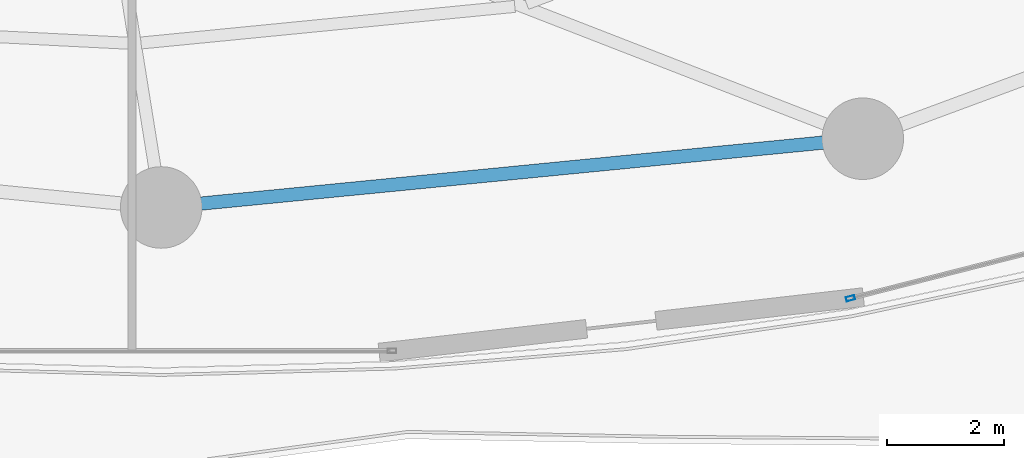
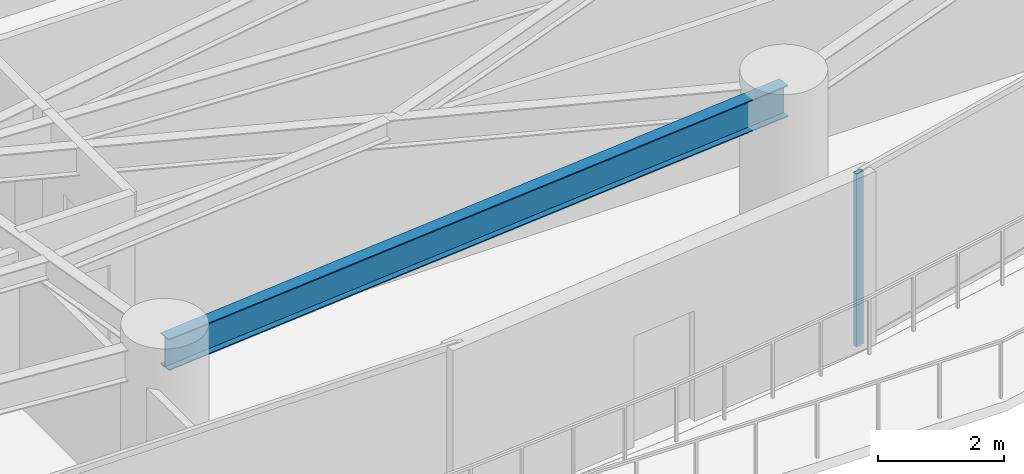
# One storey, part 11 of 32: 1 beam, 1 member, 1 element without a shape of its own.
"""IFC4 building model written with IfcOpenShell, lengths in metres."""

from ifc_helpers import new_model, si_unit, direction, frame, origin, origin_2d, place, context, subcontext, project, spatial, hollow_rectangle, i_section, extrude, material, layer, layer_set, material_profile, profile_set, type_object, element, aggregate, save


model = new_model("IFC4")

# Units and contexts
model_context = context("Model", 3, precision=1e-05, world=origin(), true_north=direction((0.0, 1.0)))
body_context = subcontext(model_context, "Body", "Model", "MODEL_VIEW")
ifc_project = project(units=[si_unit("LENGTHUNIT", "METRE"), si_unit("AREAUNIT", "SQUARE_METRE"), si_unit("VOLUMEUNIT", "CUBIC_METRE"), si_unit("PLANEANGLEUNIT", "RADIAN"), si_unit("MASSUNIT", "GRAM", prefix="KILO")], contexts=[model_context])

# Site, building, storey
site_placement = place(None, origin())
site = spatial("IfcSite", under=ifc_project, at=site_placement, CompositionType="ELEMENT")
building_placement = place(site_placement, origin())
building = spatial("IfcBuilding", under=site, at=building_placement, Name="Kazevale Care Tower and Concert Hall", CompositionType="ELEMENT")
storey_placement = place(building_placement, frame((0.0, 0.0, 42.0)))
storey = spatial("IfcBuildingStorey", under=building, at=storey_placement, Name="L10", CompositionType="ELEMENT", Elevation=42.0)

# Curtain wall, member
ifc_material_1 = material(Name="Aluminium 6063-T6 and Low-E Glass", Category="aluminium")
ifc_layer = layer(ifc_material_1, 0.179931640625)
ifc_layer_set = layer_set([ifc_layer], Name="Aluminium 6063-T6 and Low-E Glass")
curtain_wall_type = type_object("IfcCurtainWallType", Name="Sheltered Concave Balcony Curtain Wall CW-5", PredefinedType="NOTDEFINED", material=ifc_layer_set)
curtain_wall_placement = place(storey_placement, origin())
curtain_wall = element("IfcCurtainWall", 1, at=curtain_wall_placement, inside=storey, type_object=curtain_wall_type, Name="cw:L10:f04", PredefinedType="NOTDEFINED")
ifc_material_2 = material(Name="Aluminium 6063-T6", Category="aluminium")
ifc_material_profile_1 = material_profile(ifc_material_2, hollow_rectangle(XDim=0.074951171875, YDim=0.14990234375, WallThickness=0.00390625, at=origin_2d()), Name="ALU75x150x4")
ifc_profile_set_1 = profile_set([ifc_material_profile_1], Name="Aluminium 6063-T6")
member_type = type_object("IfcMemberType", Name="CW-5 Mullion ALU75x150x4", PredefinedType="MULLION", material=ifc_profile_set_1)
member_placement = place(storey_placement, frame((56.828369140625, 15.791259765625, 0.0), z_axis=(0.0, 0.0, 1.0), x_axis=(0.247221864936, -0.968958899798, 0.0)))
member = element("IfcMember", 2, at=member_placement, type_object=member_type, Name="CW-5 mullion 2", PredefinedType="MULLION", context=body_context, shape_type="SweptSolid", body=[
    extrude(hollow_rectangle(XDim=0.074951171875, YDim=0.14990234375, WallThickness=0.00390625, at=origin_2d()), origin(), (0.0, 0.0, 1.0), 3.360107421875),
])
aggregate(curtain_wall, [member])

# Beam
ifc_material_3 = material(Name="Steel ASTM A572 Gr 50", Category="steel")
ifc_material_profile_2 = material_profile(ifc_material_3, i_section(OverallWidth=0.22900390625, OverallDepth=0.612060546875, WebThickness=0.011962890625, FlangeThickness=0.01953125, at=origin_2d()), Name="W610x125")
ifc_profile_set_2 = profile_set([ifc_material_profile_2], Name="Steel ASTM A572 Gr 50")
beam_type = type_object("IfcBeamType", Name="Ring Spandrel Beam W610x125", PredefinedType="SPANDREL", material=ifc_profile_set_2)
beam_placement = place(storey_placement, frame((45.0, 17.35009765625, 3.053955078125), z_axis=(0.995232251602, 0.09753340644, 0.0), x_axis=(-0.09753340644, 0.995232251602, 0.0)))
element("IfcBeam", 3, at=beam_placement, inside=storey, type_object=beam_type, Name="beam:L10:ring:13", PredefinedType="SPANDREL", context=body_context, shape_type="SweptSolid", body=[
    extrude(i_section(OverallWidth=0.22900390625, OverallDepth=0.612060546875, WebThickness=0.011962890625, FlangeThickness=0.01953125, at=origin_2d()), origin(), (0.0, 0.0, 1.0), 12.09765625),
])

save(model, "model.ifc")
